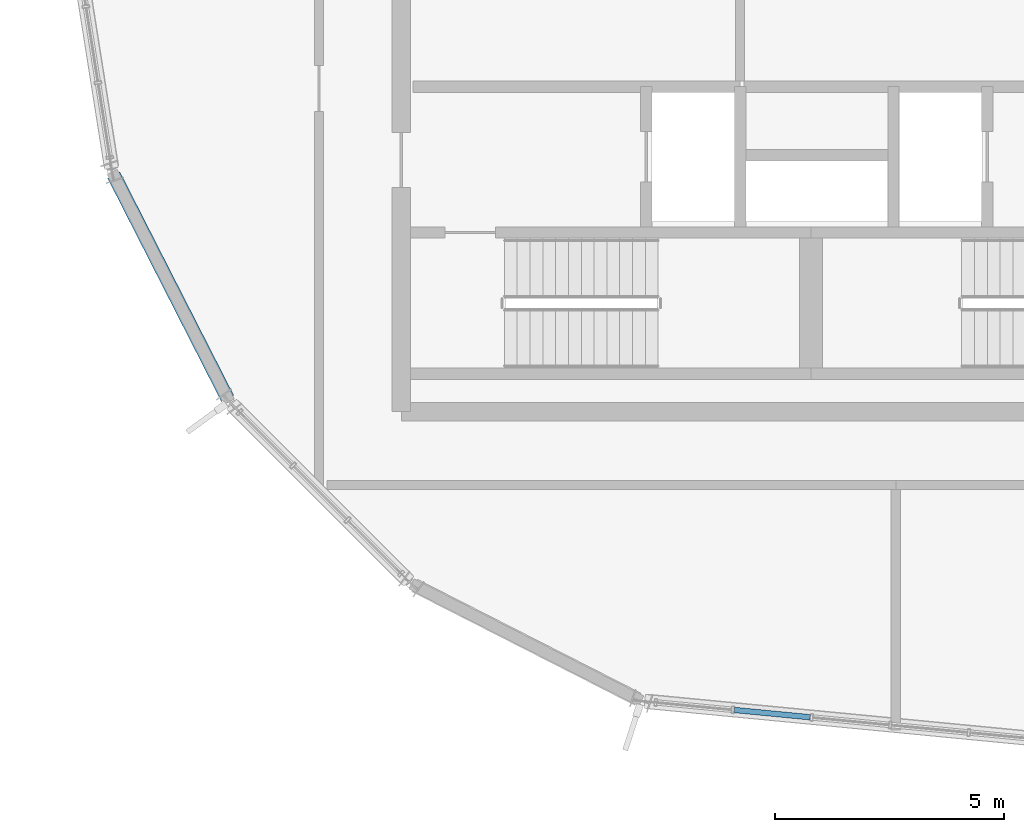
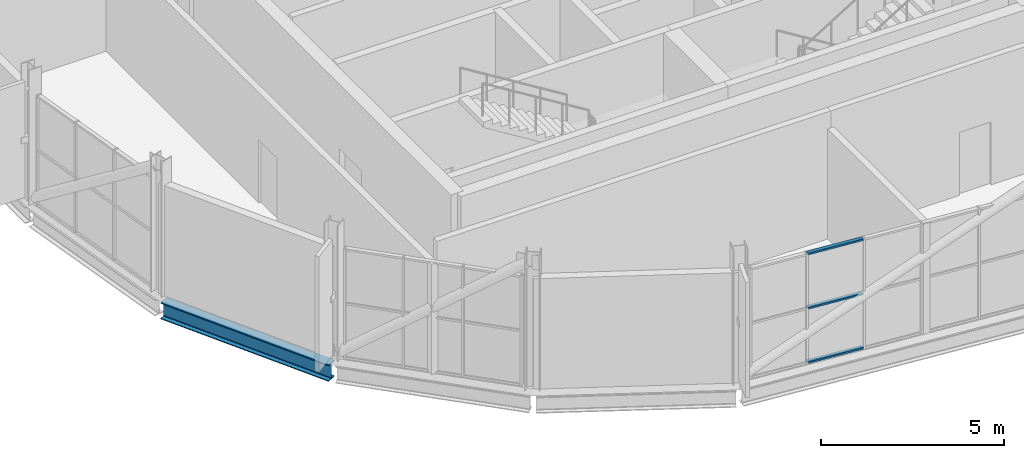
# One storey, part 3 of 22: 3 members, 1 beam, 1 element without a shape of its own.
"""IFC4 building model written with IfcOpenShell, lengths in metres."""

from ifc_helpers import new_model, si_unit, direction, frame, origin, origin_2d, place, context, subcontext, project, spatial, hollow_rectangle, i_section, extrude, material, layer, layer_set, material_profile, profile_set, type_object, element, aggregate, save


model = new_model("IFC4")

# Units and contexts
model_context = context("Model", 3, precision=1e-05, world=origin(), true_north=direction((0.0, 1.0)))
body_context = subcontext(model_context, "Body", "Model", "MODEL_VIEW")
ifc_project = project(units=[si_unit("LENGTHUNIT", "METRE"), si_unit("AREAUNIT", "SQUARE_METRE"), si_unit("VOLUMEUNIT", "CUBIC_METRE"), si_unit("PLANEANGLEUNIT", "RADIAN"), si_unit("MASSUNIT", "GRAM", prefix="KILO")], contexts=[model_context])

# Site, building, storey
site_placement = place(None, origin())
site = spatial("IfcSite", under=ifc_project, at=site_placement, CompositionType="ELEMENT")
building_placement = place(site_placement, origin())
building = spatial("IfcBuilding", under=site, at=building_placement, Name="Solnavia Interchange Tower", CompositionType="ELEMENT")
storey_placement = place(building_placement, frame((0.0, 0.0, 308.699951171875)))
storey = spatial("IfcBuildingStorey", under=building, at=storey_placement, Name="C02", CompositionType="ELEMENT", Elevation=308.699951171875)

# Curtain wall, members
ifc_material_1 = material(Name="Aluminium Alloy 6063-T6", Category="aluminium")
ifc_layer = layer(ifc_material_1, 0.179931640625)
ifc_layer_set = layer_set([ifc_layer], Name="Aluminium Alloy 6063-T6")
curtain_wall_type = type_object("IfcCurtainWallType", Name="CurtainWall-Crown-CTW6", PredefinedType="NOTDEFINED", material=ifc_layer_set)
curtain_wall_placement = place(storey_placement, origin())
curtain_wall = element("IfcCurtainWall", 1, at=curtain_wall_placement, inside=storey, type_object=curtain_wall_type, Name="CTW-C02-R13 CTW-6 curtain wall", PredefinedType="NOTDEFINED")
ifc_material_profile_1 = material_profile(ifc_material_1, hollow_rectangle(XDim=0.06005859375, YDim=0.1201171875, WallThickness=0.00390625, at=origin_2d()), Name="ALU 120x60x4")
ifc_profile_set_1 = profile_set([ifc_material_profile_1], Name="Aluminium Alloy 6063-T6")
member_type = type_object("IfcMemberType", Name="CW-Transom-CWT-6", PredefinedType="USERDEFINED", material=ifc_profile_set_1)
member_1_placement = place(storey_placement, frame((21.672607421875, 4.285400390625, 0.030029296875), z_axis=(0.995407417391, -0.095729166945, 0.0), x_axis=(0.0, 0.0, 1.0)))
member_1 = element("IfcMember", 2, at=member_1_placement, type_object=member_type, Name="CTW-6 transom 2.1", ObjectType="TRANSOM", PredefinedType="USERDEFINED", context=body_context, shape_type="SweptSolid", body=[
    extrude(hollow_rectangle(XDim=0.06005859375, YDim=0.1201171875, WallThickness=0.00390625, at=origin_2d()), origin(), (0.0, 0.0, 1.0), 1.665283203125),
])
member_2_placement = place(storey_placement, frame((21.672607421875, 4.285400390625, 1.840087890625), z_axis=(0.995407417391, -0.095729166945, 0.0), x_axis=(0.0, 0.0, 1.0)))
member_2 = element("IfcMember", 3, at=member_2_placement, type_object=member_type, Name="CTW-6 transom 2.2", ObjectType="TRANSOM", PredefinedType="USERDEFINED", context=body_context, shape_type="SweptSolid", body=[
    extrude(hollow_rectangle(XDim=0.06005859375, YDim=0.1201171875, WallThickness=0.00390625, at=origin_2d()), origin(), (0.0, 0.0, 1.0), 1.665283203125),
])
member_3_placement = place(storey_placement, frame((21.672607421875, 4.285400390625, 3.650146484375), z_axis=(0.995407417391, -0.095729166945, 0.0), x_axis=(0.0, 0.0, 1.0)))
member_3 = element("IfcMember", 4, at=member_3_placement, type_object=member_type, Name="CTW-6 transom 2.3", ObjectType="TRANSOM", PredefinedType="USERDEFINED", context=body_context, shape_type="SweptSolid", body=[
    extrude(hollow_rectangle(XDim=0.06005859375, YDim=0.1201171875, WallThickness=0.00390625, at=origin_2d()), origin(), (0.0, 0.0, 1.0), 1.665283203125),
])
aggregate(curtain_wall, [member_1, member_2, member_3])

# Beam
ifc_material_2 = material(Name="Steel S460", Category="steel")
ifc_material_profile_2 = material_profile(ifc_material_2, i_section(OverallWidth=0.300048828125, OverallDepth=0.550048828125, WebThickness=0.014892578125, FlangeThickness=0.029052734375, FilletRadius=0.027099609375, at=origin_2d()), Name="HEB 550")
ifc_profile_set_2 = profile_set([ifc_material_profile_2], Name="Steel S460")
beam_type = type_object("IfcBeamType", Name="CrownFrame-Ring-HEB550", PredefinedType="BEAM", material=ifc_profile_set_2)
beam_placement = place(storey_placement, frame((8.1171875, 15.966796875, -0.52490234375), z_axis=(0.454053431986, -0.890974455808, 0.0), x_axis=(0.890974455808, 0.454053431986, 0.0)))
element("IfcBeam", 5, at=beam_placement, inside=storey, type_object=beam_type, Name="GRD-C02-CR10 CROWN FRAME outer collar ring beam", PredefinedType="BEAM", context=body_context, shape_type="SweptSolid", body=[
    extrude(i_section(OverallWidth=0.300048828125, OverallDepth=0.550048828125, WebThickness=0.014892578125, FlangeThickness=0.029052734375, FilletRadius=0.027099609375, at=origin_2d()), origin(), (0.0, 0.0, 1.0), 5.47216796875),
])

save(model, "model.ifc")
